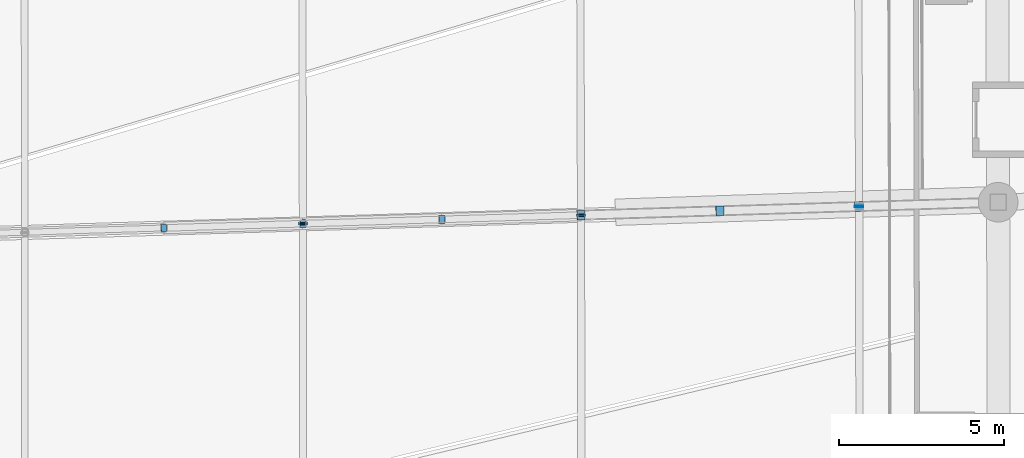
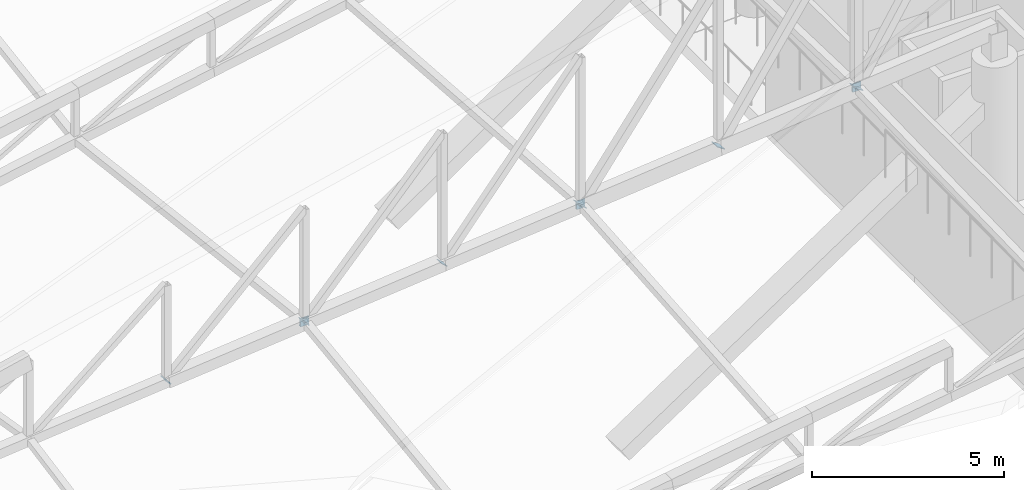
# One storey, part 307 of 344: 12 discrete accessories.
"""IFC4 building model written with IfcOpenShell, lengths in metres."""

from ifc_helpers import new_model, si_unit, direction, frame, origin, origin_2d, place, context, subcontext, project, spatial, rectangle, extrude, material, material_profile, profile_set, type_object, element, save


model = new_model("IFC4")

# Units and contexts
model_context = context("Model", 3, precision=1e-05, world=origin(), true_north=direction((0.0, 1.0)))
body_context = subcontext(model_context, "Body", "Model", "MODEL_VIEW")
ifc_project = project(units=[si_unit("LENGTHUNIT", "METRE"), si_unit("AREAUNIT", "SQUARE_METRE"), si_unit("VOLUMEUNIT", "CUBIC_METRE"), si_unit("PLANEANGLEUNIT", "RADIAN"), si_unit("MASSUNIT", "GRAM", prefix="KILO")], contexts=[model_context])

# Site, building, storey
site_placement = place(None, origin())
site = spatial("IfcSite", under=ifc_project, at=site_placement, CompositionType="ELEMENT")
building_placement = place(site_placement, origin())
building = spatial("IfcBuilding", under=site, at=building_placement, Name="Meseta Stadium", CompositionType="ELEMENT")
storey_placement = place(building_placement, frame((0.0, 0.0, 24.0)))
storey = spatial("IfcBuildingStorey", under=building, at=storey_placement, Name="L04", CompositionType="ELEMENT", Elevation=24.0)

# Discrete accessories
ifc_material_1 = material(Name="Steel S355", Category="steel")
ifc_material_profile_1 = material_profile(ifc_material_1, rectangle(XDim=0.239990234375, YDim=0.239990234375, at=origin_2d()), Name="PL 240x240")
ifc_profile_set_1 = profile_set([ifc_material_profile_1], Name="Steel S355")
discrete_accessory_type_1 = type_object("IfcDiscreteAccessoryType", Name="End plate 240x240x20", PredefinedType="ANCHORPLATE", material=ifc_profile_set_1)
discrete_accessory_1_placement = place(storey_placement, frame((59.642578125, 17.462158203125, 5.01171875), z_axis=(0.73643789056, 0.024145504609, 0.676074129038), x_axis=(-0.032769276821, 0.999462943033, 0.0)))
element("IfcDiscreteAccessory", 1, at=discrete_accessory_1_placement, inside=storey, type_object=discrete_accessory_type_1, Name="End plate of ROOF TRUSS RT-06 diagonal", PredefinedType="ANCHORPLATE", context=body_context, shape_type="SweptSolid", body=[
    extrude(rectangle(XDim=0.239990234375, YDim=0.239990234375, at=origin_2d()), origin(), (0.0, 0.0, 1.0), 0.020263671875),
])
for number, where, z_axis, x_axis, name in (
    (2, (63.86376953125, 17.592529296875, 5.315185546875), (0.694760406175, 0.012188779056, 0.719137964286), (-0.017541160386, 0.99984614201, 0.0), "End plate of ROOF TRUSS RT-06 diagonal"),
    (3, (68.0849609375, 17.72265625, 5.61865234375), (0.649732321013, 0.012259100396, 0.760064224581), (-0.018864566948, 0.999822048224, 0.0), "End plate of ROOF TRUSS RT-06 diagonal"),
):
    element("IfcDiscreteAccessory", number, at=place(storey_placement, frame(where, z_axis=z_axis, x_axis=x_axis)), inside=storey, type_object=discrete_accessory_type_1, Name=name, PredefinedType="ANCHORPLATE", context=body_context, shape_type="SweptSolid", body=[
        extrude(rectangle(XDim=0.239990234375, YDim=0.239990234375, at=origin_2d()), origin(), (0.0, 0.0, 1.0), 0.02001953125),
    ])
ifc_material_2 = material(Name="Steel S355", Category="steel")
ifc_material_profile_2 = material_profile(ifc_material_2, rectangle(XDim=0.260009765625, YDim=0.260009765625, at=origin_2d()), Name="PL 260x260")
ifc_profile_set_2 = profile_set([ifc_material_profile_2], Name="Steel S355")
discrete_accessory_type_2 = type_object("IfcDiscreteAccessoryType", Name="End plate 260x260x20", PredefinedType="ANCHORPLATE", material=ifc_profile_set_2)
for number, where, z_axis, x_axis, name in (
    (4, (63.877685546875, 17.5927734375, 5.32958984375), (0.0, 0.990904460181, 0.13456727237), (-1.0, 0.0, 0.0), "End plate of ROOF TRUSS STRUT RT-05/06"),
    (5, (72.318115234375, 17.85302734375, 5.938232421875), (-0.012161706884, 0.997259964488, 0.072970241304), (-0.999925647793, -0.012194215217, 0.0), "End plate of ROOF TRUSS STRUT RT-05/06"),
    (6, (80.75830078125, 18.113525390625, 6.546630859375), (0.0, 0.999331426586, 0.036560905851), (-1.0, 0.0, 0.0), "End plate of ROOF TRUSS STRUT RT-05/06"),
):
    element("IfcDiscreteAccessory", number, at=place(storey_placement, frame(where, z_axis=z_axis, x_axis=x_axis)), inside=storey, type_object=discrete_accessory_type_2, Name=name, PredefinedType="ANCHORPLATE", context=body_context, shape_type="SweptSolid", body=[
        extrude(rectangle(XDim=0.260009765625, YDim=0.260009765625, at=origin_2d()), origin(), (0.0, 0.0, 1.0), 0.02001953125),
    ])
for number, where, z_axis, x_axis, name in (
    (7, (63.877685546875, 17.572998046875, 5.331787109375), (0.0, 0.993883734674, -0.110431526075), (-1.0, 0.0, 0.0), "End plate of ROOF TRUSS STRUT RT-06/07"),
    (8, (72.318115234375, 17.833251953125, 5.939453125), (0.0, 0.998100230056, -0.061611125312), (-1.0, 0.0, 0.0), "End plate of ROOF TRUSS STRUT RT-06/07"),
):
    element("IfcDiscreteAccessory", number, at=place(storey_placement, frame(where, z_axis=z_axis, x_axis=x_axis)), inside=storey, type_object=discrete_accessory_type_2, Name=name, PredefinedType="ANCHORPLATE", context=body_context, shape_type="SweptSolid", body=[
        extrude(rectangle(XDim=0.260009765625, YDim=0.260009765625, at=origin_2d()), origin(), (0.0, 0.0, 1.0), 0.019775390625),
    ])
discrete_accessory_2_placement = place(storey_placement, frame((80.758544921875, 18.093505859375, 6.547119140625), z_axis=(-0.012190590302, 0.999628404729, -0.024381180603), x_axis=(-0.999925647793, -0.012194215217, 0.0)))
element("IfcDiscreteAccessory", 9, at=discrete_accessory_2_placement, inside=storey, type_object=discrete_accessory_type_2, Name="End plate of ROOF TRUSS STRUT RT-06/07", PredefinedType="ANCHORPLATE", context=body_context, shape_type="SweptSolid", body=[
    extrude(rectangle(XDim=0.260009765625, YDim=0.260009765625, at=origin_2d()), origin(), (0.0, 0.0, 1.0), 0.02001953125),
])
ifc_material_3 = material(Name="Steel S355", Category="steel")
ifc_material_profile_3 = material_profile(ifc_material_3, rectangle(XDim=0.2900390625, YDim=0.2900390625, at=origin_2d()), Name="PL 290x290")
ifc_profile_set_3 = profile_set([ifc_material_profile_3], Name="Steel S355")
discrete_accessory_type_3 = type_object("IfcDiscreteAccessoryType", Name="End plate 290x290x20", PredefinedType="ANCHORPLATE", material=ifc_profile_set_3)
discrete_accessory_3_placement = place(storey_placement, frame((72.305908203125, 17.852783203125, 5.922119140625), z_axis=(0.603813654183, 0.012076273084, 0.797034023521), x_axis=(-0.0199960012, 0.99980005998, 0.0)))
element("IfcDiscreteAccessory", 10, at=discrete_accessory_3_placement, inside=storey, type_object=discrete_accessory_type_3, Name="End plate of ROOF TRUSS RT-06 diagonal", PredefinedType="ANCHORPLATE", context=body_context, shape_type="SweptSolid", body=[
    extrude(rectangle(XDim=0.2900390625, YDim=0.2900390625, at=origin_2d()), origin(), (0.0, 0.0, 1.0), 0.020263671875),
])
for number, where, z_axis, x_axis, name in (
    (11, (76.52685546875, 17.98291015625, 6.22607421875), (0.565835193214, 0.02460153014, 0.824151259682), (-0.043437224276, 0.999056158355, 0.0), "End plate of ROOF TRUSS RT-06 diagonal"),
    (12, (80.747802734375, 18.113037109375, 6.52978515625), (0.528732930927, 0.024592229345, 0.848431912418), (-0.046461399352, 0.998920086078, 0.0), "End plate of ROOF TRUSS RT-06 diagonal"),
):
    element("IfcDiscreteAccessory", number, at=place(storey_placement, frame(where, z_axis=z_axis, x_axis=x_axis)), inside=storey, type_object=discrete_accessory_type_3, Name=name, PredefinedType="ANCHORPLATE", context=body_context, shape_type="SweptSolid", body=[
        extrude(rectangle(XDim=0.2900390625, YDim=0.2900390625, at=origin_2d()), origin(), (0.0, 0.0, 1.0), 0.019775390625),
    ])

save(model, "model.ifc")
